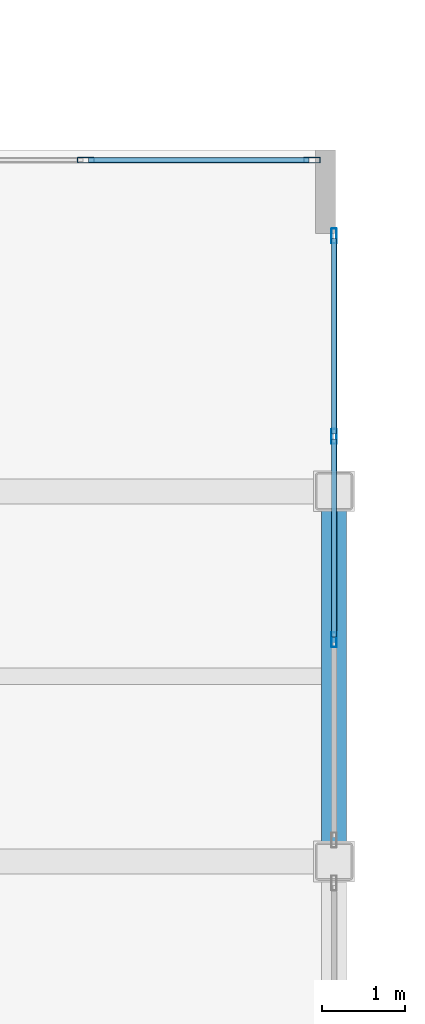
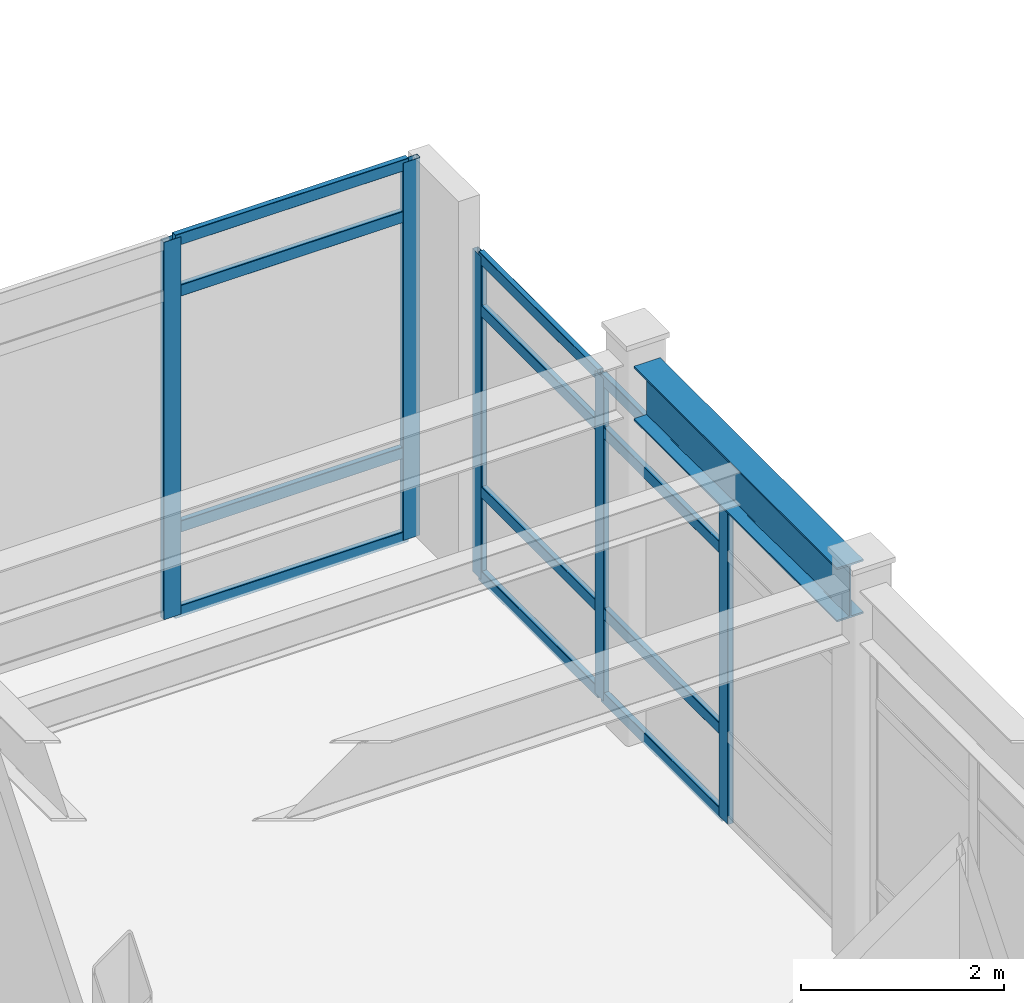
# One storey, part 90 of 172: 17 members, 1 beam, 2 elements without a shape of their own.
"""IFC4 building model written with IfcOpenShell, lengths in metres."""

from ifc_helpers import new_model, si_unit, direction, frame, origin, origin_2d, place, context, subcontext, project, spatial, hollow_rectangle, i_section, extrude, material, layer, layer_set, material_profile, profile_set, type_object, element, aggregate, save


model = new_model("IFC4")

# Units and contexts
model_context = context("Model", 3, precision=1e-05, world=origin(), true_north=direction((0.0, 1.0)))
body_context = subcontext(model_context, "Body", "Model", "MODEL_VIEW")
ifc_project = project(units=[si_unit("LENGTHUNIT", "METRE"), si_unit("AREAUNIT", "SQUARE_METRE"), si_unit("VOLUMEUNIT", "CUBIC_METRE"), si_unit("PLANEANGLEUNIT", "RADIAN"), si_unit("MASSUNIT", "GRAM", prefix="KILO")], contexts=[model_context])

# Site, building, storey
site_placement = place(None, origin())
site = spatial("IfcSite", under=ifc_project, at=site_placement, CompositionType="ELEMENT")
building_placement = place(site_placement, origin())
building = spatial("IfcBuilding", under=site, at=building_placement, Name="Kazehara Bluff Congress Hotel", CompositionType="ELEMENT")
storey_placement = place(building_placement, frame((0.0, 0.0, 5.39990234375)))
storey = spatial("IfcBuildingStorey", under=building, at=storey_placement, Name="L01", CompositionType="ELEMENT", Elevation=5.39990234375)

# Curtain wall, members
ifc_material_1 = material(Name="Anodised aluminium", Category="aluminium")
ifc_layer_1 = layer(ifc_material_1, 0.159912109375)
ifc_layer_set_1 = layer_set([ifc_layer_1], Name="Anodised aluminium")
curtain_wall_type_1 = type_object("IfcCurtainWallType", Name="TP-CW-44", PredefinedType="NOTDEFINED", material=ifc_layer_set_1)
curtain_wall_1_placement = place(storey_placement, origin())
curtain_wall_1 = element("IfcCurtainWall", 1, at=curtain_wall_1_placement, inside=storey, type_object=curtain_wall_type_1, Name="L01 curtain wall CW-44 CW-V3-L01-X10125-10568", PredefinedType="NOTDEFINED")
ifc_material_2 = material(Name="Anodised aluminium", Category="aluminium")
ifc_material_profile_1 = material_profile(ifc_material_2, hollow_rectangle(XDim=0.06494140625, YDim=0.179931640625, WallThickness=0.00390625, InnerFilletRadius=0.00390625, OuterFilletRadius=0.008056640625, at=origin_2d()))
ifc_profile_set_1 = profile_set([ifc_material_profile_1], Name="Anodised aluminium")
member_type_1 = type_object("IfcMemberType", Name="TP-CWM-02", PredefinedType="MULLION", material=ifc_profile_set_1)
member_1_placement = place(storey_placement, frame((101.25, 108.11669921875, 0.0), z_axis=(0.0, 0.0, 1.0), x_axis=(-1.0, 0.0, 0.0)))
member_1 = element("IfcMember", 2, at=member_1_placement, type_object=member_type_1, Name="CW-44 mullion 2", PredefinedType="MULLION", context=body_context, shape_type="SweptSolid", body=[
    extrude(hollow_rectangle(XDim=0.06494140625, YDim=0.179931640625, WallThickness=0.00390625, InnerFilletRadius=0.00390625, OuterFilletRadius=0.008056640625, at=origin_2d()), origin(), (0.0, 0.0, 1.0), 3.875),
])
member_2_placement = place(storey_placement, frame((101.25, 110.558349609375, 0.0), z_axis=(0.0, 0.0, 1.0), x_axis=(-1.0, 0.0, 0.0)))
member_2 = element("IfcMember", 3, at=member_2_placement, type_object=member_type_1, Name="CW-44 mullion 3", PredefinedType="MULLION", context=body_context, shape_type="SweptSolid", body=[
    extrude(hollow_rectangle(XDim=0.06494140625, YDim=0.179931640625, WallThickness=0.00390625, InnerFilletRadius=0.00390625, OuterFilletRadius=0.008056640625, at=origin_2d()), origin(), (0.0, 0.0, 1.0), 3.875),
])
member_3_placement = place(storey_placement, frame((101.25, 112.967529296875, 0.0), z_axis=(0.0, 0.0, 1.0), x_axis=(-1.0, 0.0, 0.0)))
member_3 = element("IfcMember", 4, at=member_3_placement, type_object=member_type_1, Name="CW-44 mullion 4", PredefinedType="MULLION", context=body_context, shape_type="SweptSolid", body=[
    extrude(hollow_rectangle(XDim=0.06494140625, YDim=0.179931640625, WallThickness=0.00390625, InnerFilletRadius=0.00390625, OuterFilletRadius=0.008056640625, at=origin_2d()), origin(), (0.0, 0.0, 1.0), 3.875),
])

ifc_material_3 = material(Name="Anodised aluminium", Category="aluminium")
ifc_layer_2 = layer(ifc_material_3, 0.159912109375)
ifc_layer_set_2 = layer_set([ifc_layer_2], Name="Anodised aluminium")
curtain_wall_type_2 = type_object("IfcCurtainWallType", Name="TP-CW-111", PredefinedType="NOTDEFINED", material=ifc_layer_set_2)
curtain_wall_2_placement = place(storey_placement, origin())
curtain_wall_2 = element("IfcCurtainWall", 5, at=curtain_wall_2_placement, inside=storey, type_object=curtain_wall_type_2, Name="L01 curtain wall CW-111 CW-ENC-V3-L01-9689-11388", PredefinedType="NOTDEFINED")
ifc_material_4 = material(Name="Anodised aluminium", Category="aluminium")
ifc_material_profile_2 = material_profile(ifc_material_4, hollow_rectangle(XDim=0.070068359375, YDim=0.199951171875, WallThickness=0.0048828125, InnerFilletRadius=0.0048828125, OuterFilletRadius=0.010009765625, at=origin_2d()))
ifc_profile_set_2 = profile_set([ifc_material_profile_2], Name="Anodised aluminium")
member_type_2 = type_object("IfcMemberType", Name="TP-CWM-03", PredefinedType="MULLION", material=ifc_profile_set_2)
member_4_placement = place(storey_placement, frame((98.2666015625, 113.8798828125, 0.0), z_axis=(0.0, 0.0, 1.0), x_axis=(0.0, 1.0, 0.0)))
member_4 = element("IfcMember", 6, at=member_4_placement, type_object=member_type_2, Name="CW-111 mullion 3", PredefinedType="MULLION", context=body_context, shape_type="SweptSolid", body=[
    extrude(hollow_rectangle(XDim=0.070068359375, YDim=0.199951171875, WallThickness=0.0048828125, InnerFilletRadius=0.0048828125, OuterFilletRadius=0.010009765625, at=origin_2d()), origin(), (0.0, 0.0, 1.0), 4.53515625),
])
member_5_placement = place(storey_placement, frame((100.985107421875, 113.8798828125, 0.0), z_axis=(0.0, 0.0, 1.0), x_axis=(0.0, 1.0, 0.0)))
member_5 = element("IfcMember", 7, at=member_5_placement, type_object=member_type_2, Name="CW-111 mullion 4", PredefinedType="MULLION", context=body_context, shape_type="SweptSolid", body=[
    extrude(hollow_rectangle(XDim=0.070068359375, YDim=0.199951171875, WallThickness=0.0048828125, InnerFilletRadius=0.0048828125, OuterFilletRadius=0.010009765625, at=origin_2d()), origin(), (0.0, 0.0, 1.0), 4.53515625),
])

# Member
ifc_material_5 = material(Name="Anodised aluminium", Category="aluminium")
ifc_material_profile_3 = material_profile(ifc_material_5, hollow_rectangle(XDim=0.06494140625, YDim=0.139892578125, WallThickness=0.00390625, InnerFilletRadius=0.00390625, OuterFilletRadius=0.008056640625, at=origin_2d()))
ifc_profile_set_3 = profile_set([ifc_material_profile_3], Name="Anodised aluminium")
member_type_3 = type_object("IfcMemberType", Name="TP-CWT-02", PredefinedType="USERDEFINED", material=ifc_profile_set_3)
member_6_placement = place(storey_placement, frame((101.25, 108.149169921875, 0.03271484375), z_axis=(0.0, 1.0, 0.0), x_axis=(-1.0, 0.0, 0.0)))
member_6 = element("IfcMember", 8, at=member_6_placement, type_object=member_type_3, Name="CW-44 transom 2.1", ObjectType="TRANSOM", PredefinedType="USERDEFINED", context=body_context, shape_type="SweptSolid", body=[
    extrude(hollow_rectangle(XDim=0.06494140625, YDim=0.139892578125, WallThickness=0.00390625, InnerFilletRadius=0.00390625, OuterFilletRadius=0.008056640625, at=origin_2d()), origin(), (0.0, 0.0, 1.0), 2.376708984375),
])

member_7_placement = place(storey_placement, frame((101.25, 108.149169921875, 1.050048828125), z_axis=(0.0, 1.0, 0.0), x_axis=(-1.0, 0.0, 0.0)))
member_7 = element("IfcMember", 9, at=member_7_placement, type_object=member_type_3, Name="CW-44 transom 2.2", ObjectType="TRANSOM", PredefinedType="USERDEFINED", context=body_context, shape_type="SweptSolid", body=[
    extrude(hollow_rectangle(XDim=0.06494140625, YDim=0.139892578125, WallThickness=0.00390625, InnerFilletRadius=0.00390625, OuterFilletRadius=0.008056640625, at=origin_2d()), origin(), (0.0, 0.0, 1.0), 2.376708984375),
])

member_8_placement = place(storey_placement, frame((101.25, 108.149169921875, 3.22509765625), z_axis=(0.0, 1.0, 0.0), x_axis=(-1.0, 0.0, 0.0)))
member_8 = element("IfcMember", 10, at=member_8_placement, type_object=member_type_3, Name="CW-44 transom 2.3", ObjectType="TRANSOM", PredefinedType="USERDEFINED", context=body_context, shape_type="SweptSolid", body=[
    extrude(hollow_rectangle(XDim=0.06494140625, YDim=0.139892578125, WallThickness=0.00390625, InnerFilletRadius=0.00390625, OuterFilletRadius=0.008056640625, at=origin_2d()), origin(), (0.0, 0.0, 1.0), 2.376708984375),
])

member_9_placement = place(storey_placement, frame((101.25, 108.149169921875, 3.842529296875), z_axis=(0.0, 1.0, 0.0), x_axis=(-1.0, 0.0, 0.0)))
member_9 = element("IfcMember", 11, at=member_9_placement, type_object=member_type_3, Name="CW-44 transom 2.4", ObjectType="TRANSOM", PredefinedType="USERDEFINED", context=body_context, shape_type="SweptSolid", body=[
    extrude(hollow_rectangle(XDim=0.06494140625, YDim=0.139892578125, WallThickness=0.00390625, InnerFilletRadius=0.00390625, OuterFilletRadius=0.008056640625, at=origin_2d()), origin(), (0.0, 0.0, 1.0), 2.376708984375),
])

member_10_placement = place(storey_placement, frame((101.25, 110.5908203125, 0.03271484375), z_axis=(0.0, 1.0, 0.0), x_axis=(-1.0, 0.0, 0.0)))
member_10 = element("IfcMember", 12, at=member_10_placement, type_object=member_type_3, Name="CW-44 transom 3.1", ObjectType="TRANSOM", PredefinedType="USERDEFINED", context=body_context, shape_type="SweptSolid", body=[
    extrude(hollow_rectangle(XDim=0.06494140625, YDim=0.139892578125, WallThickness=0.00390625, InnerFilletRadius=0.00390625, OuterFilletRadius=0.008056640625, at=origin_2d()), origin(), (0.0, 0.0, 1.0), 2.34423828125),
])

member_11_placement = place(storey_placement, frame((101.25, 110.5908203125, 1.050048828125), z_axis=(0.0, 1.0, 0.0), x_axis=(-1.0, 0.0, 0.0)))
member_11 = element("IfcMember", 13, at=member_11_placement, type_object=member_type_3, Name="CW-44 transom 3.2", ObjectType="TRANSOM", PredefinedType="USERDEFINED", context=body_context, shape_type="SweptSolid", body=[
    extrude(hollow_rectangle(XDim=0.06494140625, YDim=0.139892578125, WallThickness=0.00390625, InnerFilletRadius=0.00390625, OuterFilletRadius=0.008056640625, at=origin_2d()), origin(), (0.0, 0.0, 1.0), 2.34423828125),
])

member_12_placement = place(storey_placement, frame((101.25, 110.5908203125, 3.22509765625), z_axis=(0.0, 1.0, 0.0), x_axis=(-1.0, 0.0, 0.0)))
member_12 = element("IfcMember", 14, at=member_12_placement, type_object=member_type_3, Name="CW-44 transom 3.3", ObjectType="TRANSOM", PredefinedType="USERDEFINED", context=body_context, shape_type="SweptSolid", body=[
    extrude(hollow_rectangle(XDim=0.06494140625, YDim=0.139892578125, WallThickness=0.00390625, InnerFilletRadius=0.00390625, OuterFilletRadius=0.008056640625, at=origin_2d()), origin(), (0.0, 0.0, 1.0), 2.34423828125),
])

member_13_placement = place(storey_placement, frame((101.25, 110.5908203125, 3.842529296875), z_axis=(0.0, 1.0, 0.0), x_axis=(-1.0, 0.0, 0.0)))
member_13 = element("IfcMember", 15, at=member_13_placement, type_object=member_type_3, Name="CW-44 transom 3.4", ObjectType="TRANSOM", PredefinedType="USERDEFINED", context=body_context, shape_type="SweptSolid", body=[
    extrude(hollow_rectangle(XDim=0.06494140625, YDim=0.139892578125, WallThickness=0.00390625, InnerFilletRadius=0.00390625, OuterFilletRadius=0.008056640625, at=origin_2d()), origin(), (0.0, 0.0, 1.0), 2.34423828125),
])

aggregate(curtain_wall_1, [member_1, member_2, member_3, member_6, member_7, member_8, member_9, member_10, member_11, member_12, member_13])

member_14_placement = place(storey_placement, frame((98.3017578125, 113.8798828125, 0.03271484375), z_axis=(1.0, 0.0, 0.0), x_axis=(0.0, 1.0, 0.0)))
member_14 = element("IfcMember", 16, at=member_14_placement, type_object=member_type_3, Name="CW-111 transom 3.1", ObjectType="TRANSOM", PredefinedType="USERDEFINED", context=body_context, shape_type="SweptSolid", body=[
    extrude(hollow_rectangle(XDim=0.06494140625, YDim=0.139892578125, WallThickness=0.00390625, InnerFilletRadius=0.00390625, OuterFilletRadius=0.008056640625, at=origin_2d()), origin(), (0.0, 0.0, 1.0), 2.648193359375),
])

member_15_placement = place(storey_placement, frame((98.3017578125, 113.8798828125, 1.050048828125), z_axis=(1.0, 0.0, 0.0), x_axis=(0.0, 1.0, 0.0)))
member_15 = element("IfcMember", 17, at=member_15_placement, type_object=member_type_3, Name="CW-111 transom 3.2", ObjectType="TRANSOM", PredefinedType="USERDEFINED", context=body_context, shape_type="SweptSolid", body=[
    extrude(hollow_rectangle(XDim=0.06494140625, YDim=0.139892578125, WallThickness=0.00390625, InnerFilletRadius=0.00390625, OuterFilletRadius=0.008056640625, at=origin_2d()), origin(), (0.0, 0.0, 1.0), 2.648193359375),
])

member_16_placement = place(storey_placement, frame((98.3017578125, 113.8798828125, 3.885009765625), z_axis=(1.0, 0.0, 0.0), x_axis=(0.0, 1.0, 0.0)))
member_16 = element("IfcMember", 18, at=member_16_placement, type_object=member_type_3, Name="CW-111 transom 3.3", ObjectType="TRANSOM", PredefinedType="USERDEFINED", context=body_context, shape_type="SweptSolid", body=[
    extrude(hollow_rectangle(XDim=0.06494140625, YDim=0.139892578125, WallThickness=0.00390625, InnerFilletRadius=0.00390625, OuterFilletRadius=0.008056640625, at=origin_2d()), origin(), (0.0, 0.0, 1.0), 2.648193359375),
])

member_17_placement = place(storey_placement, frame((98.3017578125, 113.8798828125, 4.502685546875), z_axis=(1.0, 0.0, 0.0), x_axis=(0.0, 1.0, 0.0)))
member_17 = element("IfcMember", 19, at=member_17_placement, type_object=member_type_3, Name="CW-111 transom 3.4", ObjectType="TRANSOM", PredefinedType="USERDEFINED", context=body_context, shape_type="SweptSolid", body=[
    extrude(hollow_rectangle(XDim=0.06494140625, YDim=0.139892578125, WallThickness=0.00390625, InnerFilletRadius=0.00390625, OuterFilletRadius=0.008056640625, at=origin_2d()), origin(), (0.0, 0.0, 1.0), 2.648193359375),
])

aggregate(curtain_wall_2, [member_4, member_5, member_14, member_15, member_16, member_17])

# Beam
ifc_material_6 = material(Name="Steel SN490B", Category="steel")
ifc_material_profile_4 = material_profile(ifc_material_6, i_section(OverallWidth=0.300048828125, OverallDepth=0.64990234375, WebThickness=0.011962890625, FlangeThickness=0.02001953125, FilletRadius=0.012939453125, at=origin_2d()))
ifc_profile_set_4 = profile_set([ifc_material_profile_4], Name="Steel SN490B")
beam_type = type_object("IfcBeamType", Name="TP-G-03", PredefinedType="BEAM", material=ifc_profile_set_4)
beam_placement = place(storey_placement, frame((101.25, 105.675048828125, 4.22509765625), z_axis=(0.0, 1.0, 0.0), x_axis=(-1.0, 0.0, 0.0)))
element("IfcBeam", 20, at=beam_placement, inside=storey, type_object=beam_type, Name="L01 girder G-03 122", PredefinedType="BEAM", context=body_context, shape_type="SweptSolid", body=[
    extrude(i_section(OverallWidth=0.300048828125, OverallDepth=0.64990234375, WebThickness=0.011962890625, FlangeThickness=0.02001953125, FilletRadius=0.012939453125, at=origin_2d()), origin(), (0.0, 0.0, 1.0), 4.0),
])

save(model, "model.ifc")
